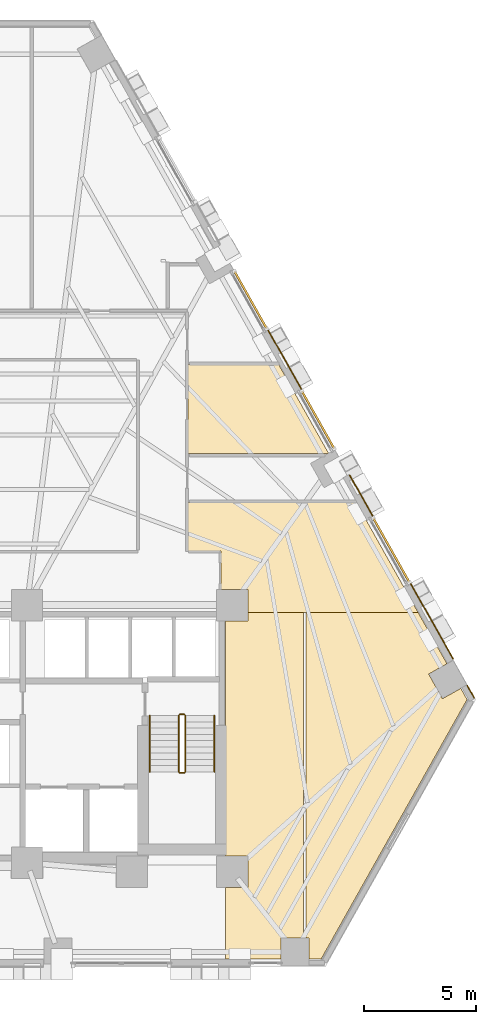
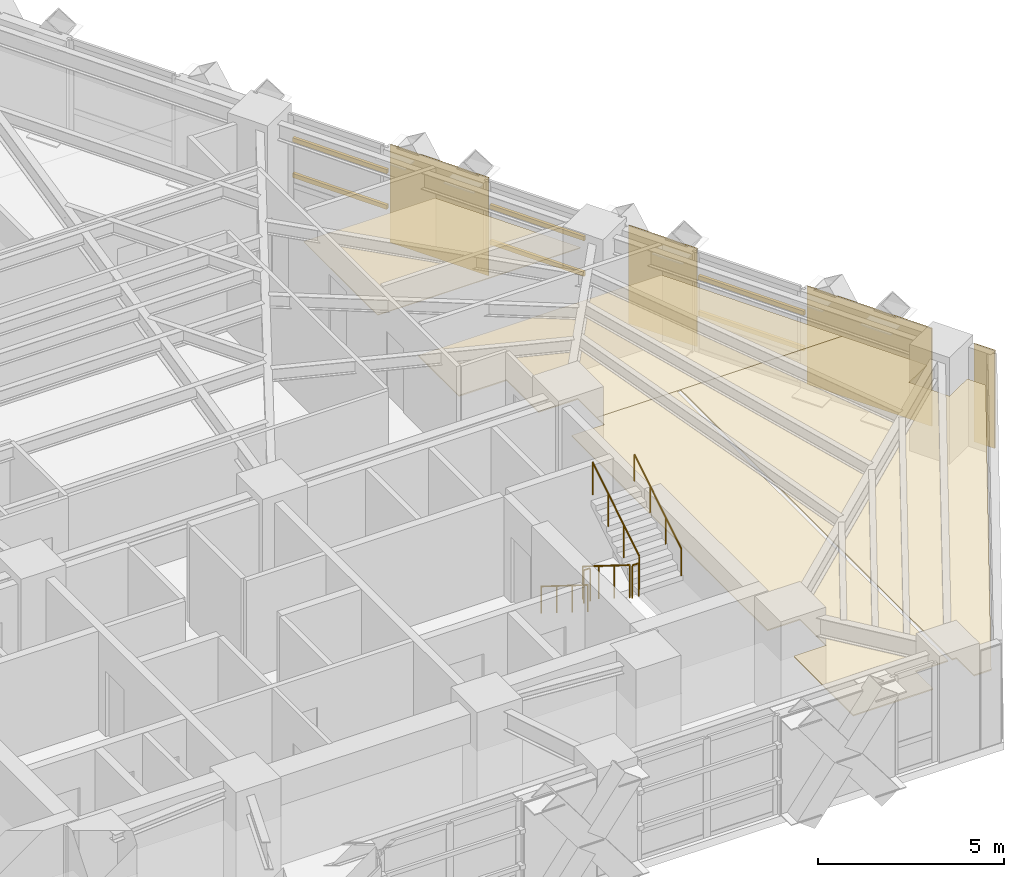
# One storey, part 12 of 13: 8 coverings, 6 railings, 6 shading devices.
"""IFC4 building model written with IfcOpenShell, lengths in metres."""

from ifc_helpers import new_model, si_unit, direction, frame, origin, origin_2d, place, context, subcontext, project, spatial, polyline, rectangle, circle, outline, extrude, material, layer, layer_set, material_profile, profile_set, type_object, element, save


model = new_model("IFC4")

# Units and contexts
model_context = context("Model", 3, precision=1e-05, world=origin(), true_north=direction((0.0, 1.0)))
body_context = subcontext(model_context, "Body", "Model", "MODEL_VIEW")
ifc_project = project(units=[si_unit("LENGTHUNIT", "METRE"), si_unit("AREAUNIT", "SQUARE_METRE"), si_unit("VOLUMEUNIT", "CUBIC_METRE"), si_unit("PLANEANGLEUNIT", "RADIAN"), si_unit("MASSUNIT", "GRAM", prefix="KILO")], contexts=[model_context])

# Site, building, storey
site_placement = place(None, origin())
site = spatial("IfcSite", under=ifc_project, at=site_placement, CompositionType="ELEMENT")
building_placement = place(site_placement, origin())
building = spatial("IfcBuilding", under=site, at=building_placement, Name="Quenlor Broadcast Tower", CompositionType="ELEMENT")
storey_placement = place(building_placement, frame((0.0, 0.0, 31.10009765625)))
storey = spatial("IfcBuildingStorey", under=building, at=storey_placement, Name="L07", CompositionType="ELEMENT", Elevation=31.10009765625)

# Coverings
ifc_material_1 = material(Name="Acoustic Mineral Fibre Board", Category="other")
ifc_layer_1 = layer(ifc_material_1, 0.02490234375)
ifc_layer_set_1 = layer_set([ifc_layer_1], Name="Acoustic Perforated Mineral Tile Ceiling 25")
covering_type_1 = type_object("IfcCoveringType", Name="Acoustic Perforated Mineral Tile Ceiling 25", PredefinedType="CEILING", material=ifc_layer_set_1)
covering_1_placement = place(storey_placement, frame((0.0, 0.0, 2.224853515625)))
element("IfcCovering", 1, at=covering_1_placement, inside=storey, type_object=covering_type_1, Name="L07 Acoustic Ceiling L07-36", PredefinedType="CEILING", context=body_context, shape_type="SweptSolid", body=[
    extrude(outline(polyline([(15.03369140625, 5.97998046875), (17.263671875, 2.015380859375), (17.236328125, 2.0), (10.955078125, 2.0), (10.955078125, 5.97998046875), (15.03369140625, 5.97998046875)])), origin(), (0.0, 0.0, 1.0), 0.025146484375),
])
ifc_material_2 = material(Name="Acoustic Gypsum Board", Category="other")
ifc_layer_2 = layer(ifc_material_2, 0.0400390625)
ifc_layer_set_2 = layer_set([ifc_layer_2], Name="Broadcast Studio Spring Isolated Ceiling 40")
covering_type_2 = type_object("IfcCoveringType", Name="Broadcast Studio Spring Isolated Ceiling 40", PredefinedType="CEILING", material=ifc_layer_set_2)
covering_2_placement = place(storey_placement, frame((0.0, 0.0, 2.2099609375)))
element("IfcCovering", 2, at=covering_2_placement, inside=storey, type_object=covering_type_2, Name="L07 Acoustic Ceiling L07-38-2", PredefinedType="CEILING", context=body_context, shape_type="SweptSolid", body=[
    extrude(outline(polyline([(13.657958984375, -4.092041015625), (12.43994140625, -4.092041015625), (12.43994140625, -2.3701171875), (10.955078125, -2.3701171875), (10.955078125, -0.190185546875), (18.50439453125, -0.190185546875), (21.27734375, -5.1201171875), (16.260009765625, -5.1201171875), (16.139892578125, -5.1201171875), (13.657958984375, -5.1201171875), (13.657958984375, -4.092041015625)])), origin(), (0.0, 0.0, 1.0), 0.0400390625),
])
covering_3_placement = place(storey_placement, frame((0.0, 0.0, 2.2099609375)))
element("IfcCovering", 3, at=covering_3_placement, inside=storey, type_object=covering_type_2, Name="L07 Acoustic Ceiling L07-38-4", PredefinedType="CEILING", context=body_context, shape_type="SweptSolid", body=[
    extrude(outline(polyline([(13.657958984375, -17.4580078125), (13.657958984375, -16.0419921875), (12.64990234375, -16.0419921875), (12.64990234375, -5.508056640625), (13.657958984375, -5.508056640625), (13.657958984375, -5.1201171875), (16.139892578125, -5.1201171875), (16.139892578125, -19.717041015625), (15.132080078125, -19.717041015625), (15.132080078125, -20.659912109375), (12.64990234375, -20.659912109375), (12.64990234375, -17.4580078125), (13.657958984375, -17.4580078125)])), origin(), (0.0, 0.0, 1.0), 0.0400390625),
])
covering_4_placement = place(storey_placement, frame((0.0, 0.0, 2.2099609375)))
element("IfcCovering", 4, at=covering_4_placement, inside=storey, type_object=covering_type_2, Name="L07 Acoustic Ceiling L07-38-5", PredefinedType="CEILING", context=body_context, shape_type="SweptSolid", body=[
    extrude(outline(polyline([(22.575927734375, -7.428466796875), (21.754150390625, -7.890625), (22.374755859375, -8.994140625), (23.196533203125, -8.531982421875), (23.477783203125, -9.031982421875), (16.937255859375, -20.659912109375), (16.398193359375, -20.659912109375), (16.398193359375, -19.717041015625), (16.260009765625, -19.717041015625), (16.260009765625, -5.1201171875), (21.27734375, -5.1201171875), (22.575927734375, -7.428466796875)])), origin(), (0.0, 0.0, 1.0), 0.0400390625),
])

# Shading devices
ifc_material_3 = material(Name="Architectural Terracotta Ceramic", Category="masonry")
ifc_material_profile = material_profile(ifc_material_3, rectangle(XDim=0.090087890625, YDim=0.139892578125, at=origin_2d()))
ifc_profile_set = profile_set([ifc_material_profile], Name="Architectural Terracotta Ceramic BAG90x140")
shading_device_type = type_object("IfcShadingDeviceType", Name="Copper Terracotta Baguette Solar Screen 140", PredefinedType="USERDEFINED", material=ifc_profile_set)
for number, where, z_axis, x_axis, name in (
    (5, (19.27099609375, -0.89453125, 1.169921875), (0.490289331496, -0.871559734855, 0.0), (0.871559734855, 0.490289331496, 0.0), "L07 Terracotta Baguette Screen 1"),
    (6, (19.27099609375, -0.89453125, 2.33984375), (0.490289331496, -0.871559734855, 0.0), (0.871559734855, 0.490289331496, 0.0), "L07 Terracotta Baguette Screen 2"),
):
    element("IfcShadingDevice", number, at=place(storey_placement, frame(where, z_axis=z_axis, x_axis=x_axis)), inside=storey, type_object=shading_device_type, Name=name, ObjectType="BAGUETTE", PredefinedType="USERDEFINED", context=body_context, shape_type="SweptSolid", body=[
        extrude(rectangle(XDim=0.090087890625, YDim=0.139892578125, at=origin_2d()), origin(), (0.0, 0.0, 1.0), 3.301025390625),
    ])
for number, where, z_axis, x_axis, name in (
    (7, (13.050537109375, 10.164306640625, 1.169921875), (0.490241581092, -0.871586594762, 0.0), (0.871586594762, 0.490241581092, 0.0), "L07 Terracotta Baguette Screen 1"),
    (8, (13.050537109375, 10.164306640625, 2.33984375), (0.490241581092, -0.871586594762, 0.0), (0.871586594762, 0.490241581092, 0.0), "L07 Terracotta Baguette Screen 2"),
):
    element("IfcShadingDevice", number, at=place(storey_placement, frame(where, z_axis=z_axis, x_axis=x_axis)), inside=storey, type_object=shading_device_type, Name=name, ObjectType="BAGUETTE", PredefinedType="USERDEFINED", context=body_context, shape_type="SweptSolid", body=[
        extrude(rectangle(XDim=0.090087890625, YDim=0.139892578125, at=origin_2d()), origin(), (0.0, 0.0, 1.0), 2.9482421875),
    ])
for number, where, z_axis, x_axis, name in (
    (9, (16.07421875, 4.78857421875, 1.169921875), (0.490339873784, -0.871531300744, 0.0), (0.871531300744, 0.490339873784, 0.0), "L07 Terracotta Baguette Screen 1"),
    (10, (16.07421875, 4.78857421875, 2.33984375), (0.490339873784, -0.871531300744, 0.0), (0.871531300744, 0.490339873784, 0.0), "L07 Terracotta Baguette Screen 2"),
):
    element("IfcShadingDevice", number, at=place(storey_placement, frame(where, z_axis=z_axis, x_axis=x_axis)), inside=storey, type_object=shading_device_type, Name=name, ObjectType="BAGUETTE", PredefinedType="USERDEFINED", context=body_context, shape_type="SweptSolid", body=[
        extrude(rectangle(XDim=0.090087890625, YDim=0.139892578125, at=origin_2d()), origin(), (0.0, 0.0, 1.0), 2.947998046875),
    ])

# Coverings
ifc_material_4 = material(Name="Architectural Terracotta Ceramic", Category="masonry")
ifc_layer_3 = layer(ifc_material_4, 0.044921875)
ifc_layer_set_3 = layer_set([ifc_layer_3], Name="Fluted Terracotta Rainscreen Cladding Panel")
covering_type_3 = type_object("IfcCoveringType", Name="Fluted Terracotta Rainscreen Cladding Panel", PredefinedType="CLADDING", material=ifc_layer_set_3)
covering_5_placement = place(storey_placement, frame((0.0, 0.0, 0.02001953125)))
element("IfcCovering", 11, at=covering_5_placement, inside=storey, type_object=covering_type_3, Name="L07 Terracotta Rainscreen Cladding L07-SHD-NES1", PredefinedType="CLADDING", context=body_context, shape_type="SweptSolid", body=[
    extrude(outline(polyline([(23.464111328125, -8.412109375), (23.781982421875, -8.97705078125), (23.8212890625, -8.955078125), (23.50341796875, -8.39013671875), (23.464111328125, -8.412109375)])), origin(), (0.0, 0.0, 1.0), 3.2099609375),
])
covering_6_placement = place(storey_placement, frame((0.0, 0.0, 0.02001953125)))
element("IfcCovering", 12, at=covering_6_placement, inside=storey, type_object=covering_type_3, Name="L07 Terracotta Rainscreen Cladding L07-NEC-SP1", PredefinedType="CLADDING", context=body_context, shape_type="SweptSolid", body=[
    extrude(outline(polyline([(18.18798828125, 1.029052734375), (19.236083984375, -0.833984375), (19.275146484375, -0.81201171875), (18.227294921875, 1.051025390625), (18.18798828125, 1.029052734375)])), origin(), (0.0, 0.0, 1.0), 3.2099609375),
])
covering_7_placement = place(storey_placement, frame((0.0, 0.0, 0.02001953125)))
element("IfcCovering", 13, at=covering_7_placement, inside=storey, type_object=covering_type_3, Name="L07 Terracotta Rainscreen Cladding L07-NEC-SP2", PredefinedType="CLADDING", context=body_context, shape_type="SweptSolid", body=[
    extrude(outline(polyline([(20.9228515625, -3.8330078125), (22.83349609375, -7.2294921875), (22.872802734375, -7.20751953125), (20.962158203125, -3.81103515625), (20.9228515625, -3.8330078125)])), origin(), (0.0, 0.0, 1.0), 3.2099609375),
])
covering_8_placement = place(storey_placement, frame((0.0, 0.0, 0.02001953125)))
element("IfcCovering", 14, at=covering_8_placement, inside=storey, type_object=covering_type_3, Name="L07 Terracotta Rainscreen Cladding L07-NE-SP1", PredefinedType="CLADDING", context=body_context, shape_type="SweptSolid", body=[
    extrude(outline(polyline([(14.529296875, 7.533203125), (16.039306640625, 4.84912109375), (16.078369140625, 4.87109375), (14.568603515625, 7.555419921875), (14.529296875, 7.533203125)])), origin(), (0.0, 0.0, 1.0), 3.2099609375),
])

# Railings
ifc_material_5 = material(Name="Anodised Aluminium", Category="aluminium")
railing_type_1 = type_object("IfcRailingType", Name="Stainless Aluminium Wall Handrail 900", PredefinedType="HANDRAIL", material=ifc_material_5)
railing_1_placement = place(storey_placement, frame((9.25, -9.75, 0.1748046875)))
element("IfcRailing", 15, at=railing_1_placement, inside=storey, type_object=railing_type_1, Name="L07 ST-2 stair handrail 1", PredefinedType="HANDRAIL", context=body_context, shape_type="SweptSolid", body=[
    extrude(circle(Radius=0.02392578125, at=origin_2d()), frame((0.0, 0.0, 0.8759765625), z_axis=(0.0, -0.847970611238, 0.530043245855), x_axis=(1.0, 0.0, 0.0)), (0.0, 0.0, 1.0), 2.971923828125),
    extrude(circle(Radius=0.02099609375, at=origin_2d()), origin(), (0.0, 0.0, 1.0), 0.851806640625),
    extrude(circle(Radius=0.02099609375, at=origin_2d()), frame((0.0, -0.840087890625, 0.525146484375)), (0.0, 0.0, 1.0), 0.851806640625),
    extrude(circle(Radius=0.02099609375, at=origin_2d()), frame((0.0, -1.679931640625, 1.050048828125)), (0.0, 0.0, 1.0), 0.851806640625),
    extrude(circle(Radius=0.02099609375, at=origin_2d()), frame((0.0, -2.52001953125, 1.5751953125)), (0.0, 0.0, 1.0), 0.851806640625),
])
railing_2_placement = place(storey_placement, frame((12.14990234375, -12.27001953125, 1.9248046875)))
element("IfcRailing", 16, at=railing_2_placement, inside=storey, type_object=railing_type_1, Name="L07 ST-2 stair handrail 2", PredefinedType="HANDRAIL", context=body_context, shape_type="SweptSolid", body=[
    extrude(circle(Radius=0.02392578125, at=origin_2d()), frame((0.0, 0.0, 0.8759765625), z_axis=(0.0, 0.847970611238, 0.530043245855), x_axis=(-1.0, 0.0, 0.0)), (0.0, 0.0, 1.0), 2.971923828125),
    extrude(circle(Radius=0.02099609375, at=origin_2d()), origin(), (0.0, 0.0, 1.0), 0.851806640625),
    extrude(circle(Radius=0.02099609375, at=origin_2d()), frame((0.0, 0.840087890625, 0.525146484375)), (0.0, 0.0, 1.0), 0.851806640625),
    extrude(circle(Radius=0.02099609375, at=origin_2d()), frame((0.0, 1.679931640625, 1.050048828125)), (0.0, 0.0, 1.0), 0.851806640625),
    extrude(circle(Radius=0.02099609375, at=origin_2d()), frame((0.0, 2.52001953125, 1.5751953125)), (0.0, 0.0, 1.0), 0.851806640625),
])
ifc_material_6 = material(Name="Steel S355", Category="steel")
railing_type_2 = type_object("IfcRailingType", Name="Tubular Steel S355 Stair Guardrail 1100", PredefinedType="BALUSTRADE", material=ifc_material_6)
railing_3_placement = place(storey_placement, frame((10.550048828125, -9.75, 0.1748046875)))
element("IfcRailing", 17, at=railing_3_placement, inside=storey, type_object=railing_type_2, Name="L07 ST-2 stair guard 1", PredefinedType="BALUSTRADE", context=body_context, shape_type="SweptSolid", body=[
    extrude(circle(Radius=0.02392578125, at=origin_2d()), frame((0.0, 0.0, 1.076171875), z_axis=(0.0, -0.847970611238, 0.530043245855), x_axis=(1.0, 0.0, 0.0)), (0.0, 0.0, 1.0), 2.971923828125),
    extrude(circle(Radius=0.02099609375, at=origin_2d()), origin(), (0.0, 0.0, 1.0), 1.052001953125),
    extrude(circle(Radius=0.02099609375, at=origin_2d()), frame((0.0, -0.840087890625, 0.525146484375)), (0.0, 0.0, 1.0), 1.052001953125),
    extrude(circle(Radius=0.02099609375, at=origin_2d()), frame((0.0, -1.679931640625, 1.050048828125)), (0.0, 0.0, 1.0), 1.052001953125),
    extrude(circle(Radius=0.02099609375, at=origin_2d()), frame((0.0, -2.52001953125, 1.5751953125)), (0.0, 0.0, 1.0), 1.052001953125),
])
railing_4_placement = place(storey_placement, frame((10.60009765625, -12.320068359375, 1.75)))
element("IfcRailing", 18, at=railing_4_placement, inside=storey, type_object=railing_type_2, Name="L07 ST-2 stair guard 2", PredefinedType="BALUSTRADE", context=body_context, shape_type="SweptSolid", body=[
    extrude(circle(Radius=0.02392578125, at=origin_2d()), frame((0.0, 0.0, 1.076171875), z_axis=(1.0, 0.0, 0.0), x_axis=(0.0, 1.0, 0.0)), (0.0, 0.0, 1.0), 0.199951171875),
    extrude(circle(Radius=0.02099609375, at=origin_2d()), origin(), (0.0, 0.0, 1.0), 1.052001953125),
    extrude(circle(Radius=0.02099609375, at=origin_2d()), frame((0.199951171875, 0.0, 0.0)), (0.0, 0.0, 1.0), 1.052001953125),
])
railing_5_placement = place(storey_placement, frame((10.85009765625, -12.27001953125, 1.9248046875)))
element("IfcRailing", 19, at=railing_5_placement, inside=storey, type_object=railing_type_2, Name="L07 ST-2 stair guard 3", PredefinedType="BALUSTRADE", context=body_context, shape_type="SweptSolid", body=[
    extrude(circle(Radius=0.02392578125, at=origin_2d()), frame((0.0, 0.0, 1.076171875), z_axis=(0.0, 0.847970611238, 0.530043245855), x_axis=(-1.0, 0.0, 0.0)), (0.0, 0.0, 1.0), 2.971923828125),
    extrude(circle(Radius=0.02099609375, at=origin_2d()), origin(), (0.0, 0.0, 1.0), 1.052001953125),
    extrude(circle(Radius=0.02099609375, at=origin_2d()), frame((0.0, 0.840087890625, 0.525146484375)), (0.0, 0.0, 1.0), 1.052001953125),
    extrude(circle(Radius=0.02099609375, at=origin_2d()), frame((0.0, 1.679931640625, 1.050048828125)), (0.0, 0.0, 1.0), 1.052001953125),
    extrude(circle(Radius=0.02099609375, at=origin_2d()), frame((0.0, 2.52001953125, 1.5751953125)), (0.0, 0.0, 1.0), 1.052001953125),
])
railing_6_placement = place(storey_placement, frame((10.60009765625, -9.699951171875, 0.0)))
element("IfcRailing", 20, at=railing_6_placement, inside=storey, type_object=railing_type_2, Name="L07 ST-2 stair guard 4", PredefinedType="BALUSTRADE", context=body_context, shape_type="SweptSolid", body=[
    extrude(circle(Radius=0.02392578125, at=origin_2d()), frame((0.0, 0.0, 1.076171875), z_axis=(1.0, 0.0, 0.0), x_axis=(0.0, 1.0, 0.0)), (0.0, 0.0, 1.0), 0.199951171875),
    extrude(circle(Radius=0.02099609375, at=origin_2d()), origin(), (0.0, 0.0, 1.0), 1.052001953125),
    extrude(circle(Radius=0.02099609375, at=origin_2d()), frame((0.199951171875, 0.0, 0.0)), (0.0, 0.0, 1.0), 1.052001953125),
])

save(model, "model.ifc")
